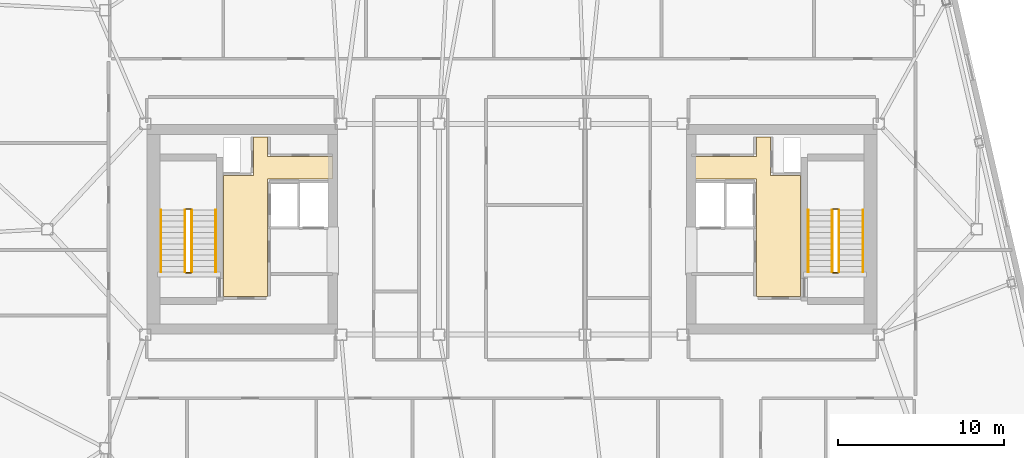
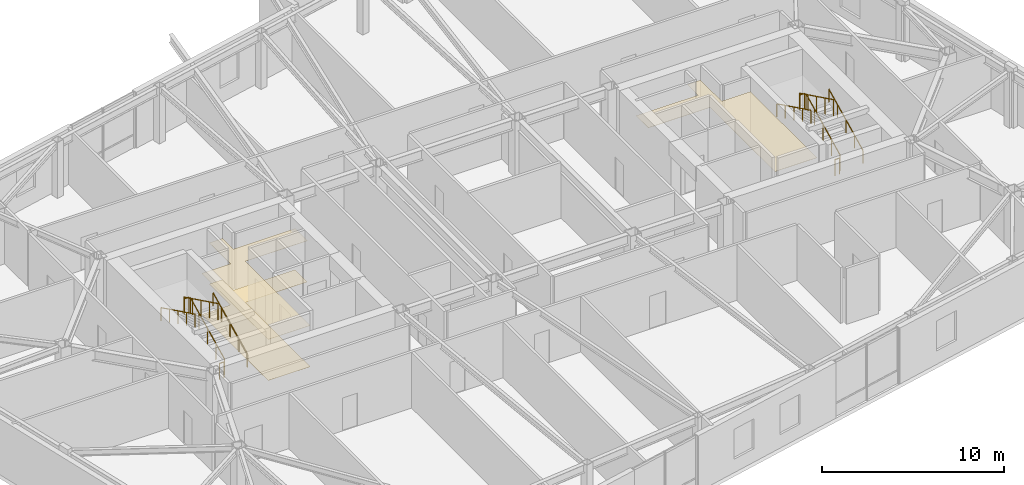
# One storey, part 22 of 22: 12 railings, 3 coverings.
"""IFC4 building model written with IfcOpenShell, lengths in metres."""

from ifc_helpers import new_model, si_unit, direction, frame, origin, origin_2d, place, context, subcontext, project, spatial, polyline, rectangle, outline, extrude, material, layer, layer_set, type_object, element, save


model = new_model("IFC4")

# Units and contexts
model_context = context("Model", 3, precision=1e-05, world=origin(), true_north=direction((0.0, 1.0)))
body_context = subcontext(model_context, "Body", "Model", "MODEL_VIEW")
ifc_project = project(units=[si_unit("LENGTHUNIT", "METRE"), si_unit("AREAUNIT", "SQUARE_METRE"), si_unit("VOLUMEUNIT", "CUBIC_METRE"), si_unit("PLANEANGLEUNIT", "RADIAN"), si_unit("MASSUNIT", "GRAM", prefix="KILO")], contexts=[model_context])

# Site, building, storey
site_placement = place(None, origin())
site = spatial("IfcSite", under=ifc_project, at=site_placement, CompositionType="ELEMENT")
building_placement = place(site_placement, origin())
building = spatial("IfcBuilding", under=site, at=building_placement, Name="Tavrogorsk Clinical Tower", CompositionType="ELEMENT")
storey_placement = place(building_placement, frame((0.0, 0.0, 317.0)))
storey = spatial("IfcBuildingStorey", under=building, at=storey_placement, Name="L74", CompositionType="ELEMENT", Elevation=317.0)

# Coverings
ifc_material_1 = material(Name="Antibacterial micro-perforated aluminium ceiling", Category="aluminium")
ifc_layer_1 = layer(ifc_material_1, 0.014892578125)
ifc_layer_set_1 = layer_set([ifc_layer_1], Name="Antibacterial micro-perforated aluminium ceiling")
covering_type_1 = type_object("IfcCoveringType", Name="ClinicalCeiling_15", PredefinedType="CEILING", material=ifc_layer_set_1)
covering_1_placement = place(storey_placement, frame((0.0, 0.0, 2.75)))
element("IfcCovering", 1, at=covering_1_placement, inside=storey, type_object=covering_type_1, Name="Core West Firefighting Lift Lobby Acoustic Ceiling", PredefinedType="CEILING", context=body_context, shape_type="SweptSolid", body=[
    extrude(outline(polyline([(-14.719970703125, 4.3798828125), (-10.800048828125, 4.3798828125), (-10.800048828125, 3.0400390625), (-14.719970703125, 3.0400390625), (-14.719970703125, -4.06005859375), (-17.3798828125, -4.06005859375), (-17.3798828125, 3.239990234375), (-15.56005859375, 3.239990234375), (-15.56005859375, 5.56005859375), (-14.719970703125, 5.56005859375), (-14.719970703125, 4.3798828125)])), origin(), (0.0, 0.0, 1.0), 0.014892578125),
])
covering_2_placement = place(storey_placement, frame((0.0, 0.0, 2.75)))
element("IfcCovering", 2, at=covering_2_placement, inside=storey, type_object=covering_type_1, Name="Core East Firefighting Lift Lobby Acoustic Ceiling", PredefinedType="CEILING", context=body_context, shape_type="SweptSolid", body=[
    extrude(outline(polyline([(14.719970703125, -4.06005859375), (14.719970703125, 3.0400390625), (10.800048828125, 3.0400390625), (10.800048828125, 4.3798828125), (14.719970703125, 4.3798828125), (14.719970703125, 5.56005859375), (15.56005859375, 5.56005859375), (15.56005859375, 3.239990234375), (17.3798828125, 3.239990234375), (17.3798828125, -4.06005859375), (14.719970703125, -4.06005859375)])), origin(), (0.0, 0.0, 1.0), 0.014892578125),
])
ifc_material_2 = material(Name="Homogeneous medical conductive PVC flooring")
ifc_layer_2 = layer(ifc_material_2, 0.008056640625)
ifc_layer_set_2 = layer_set([ifc_layer_2], Name="Homogeneous medical conductive PVC flooring")
covering_type_2 = type_object("IfcCoveringType", Name="ResilientVinylFloor_8", PredefinedType="FLOORING", material=ifc_layer_set_2)
covering_3_placement = place(storey_placement, origin())
element("IfcCovering", 3, at=covering_3_placement, inside=storey, type_object=covering_type_2, Name="Core West Firefighting Lift Lobby Conductive Vinyl Flooring", PredefinedType="FLOORING", context=body_context, shape_type="SweptSolid", body=[
    extrude(outline(polyline([(-14.719970703125, 4.3798828125), (-10.800048828125, 4.3798828125), (-10.800048828125, 3.0400390625), (-14.719970703125, 3.0400390625), (-14.719970703125, -4.06005859375), (-17.3798828125, -4.06005859375), (-17.3798828125, 3.239990234375), (-15.56005859375, 3.239990234375), (-15.56005859375, 5.56005859375), (-14.719970703125, 5.56005859375), (-14.719970703125, 4.3798828125)])), origin(), (0.0, 0.0, 1.0), 0.008056640625),
])

# Railings
ifc_material_3 = material(Name="Galvanised steel S355 safety stairwell guard", Category="steel")
ifc_layer_3 = layer(ifc_material_3, 0.06005859375)
ifc_layer_set_3 = layer_set([ifc_layer_3], Name="Galvanised steel S355 safety stairwell guard")
railing_type_1 = type_object("IfcRailingType", Name="StairGuard_1150", PredefinedType="GUARDRAIL", material=ifc_layer_set_3)
railing_1_placement = place(storey_placement, frame((-19.300048828125, -2.574951171875, 0.166748046875)))
element("IfcRailing", 4, at=railing_1_placement, inside=storey, type_object=railing_type_1, Name="L74 ST-W stair guard 1", PredefinedType="GUARDRAIL", context=body_context, shape_type="SweptSolid", body=[
    extrude(rectangle(XDim=0.048095703125, YDim=0.048095703125, at=origin_2d()), frame((0.0, 0.0, 1.076171875), z_axis=(0.0, 0.897927990467, 0.440142390523), x_axis=(-1.0, 0.0, 0.0)), (0.0, 0.0, 1.0), 4.1650390625),
    extrude(rectangle(XDim=0.0419921875, YDim=0.0419921875, at=origin_2d()), origin(), (0.0, 0.0, 1.0), 1.052001953125),
    extrude(rectangle(XDim=0.0419921875, YDim=0.0419921875, at=origin_2d()), frame((0.0, 0.93505859375, 0.458251953125)), (0.0, 0.0, 1.0), 1.052001953125),
    extrude(rectangle(XDim=0.0419921875, YDim=0.0419921875, at=origin_2d()), frame((0.0, 1.8701171875, 0.91650390625)), (0.0, 0.0, 1.0), 1.052001953125),
    extrude(rectangle(XDim=0.0419921875, YDim=0.0419921875, at=origin_2d()), frame((0.0, 2.804931640625, 1.375)), (0.0, 0.0, 1.0), 1.052001953125),
    extrude(rectangle(XDim=0.0419921875, YDim=0.0419921875, at=origin_2d()), frame((0.0, 3.739990234375, 1.833251953125)), (0.0, 0.0, 1.0), 1.052001953125),
])
railing_2_placement = place(storey_placement, frame((-19.35009765625, 1.215087890625, 2.0)))
element("IfcRailing", 5, at=railing_2_placement, inside=storey, type_object=railing_type_1, Name="L74 ST-W stair guard 2", PredefinedType="GUARDRAIL", context=body_context, shape_type="SweptSolid", body=[
    extrude(rectangle(XDim=0.048095703125, YDim=0.048095703125, at=origin_2d()), frame((0.0, 0.0, 1.076171875), z_axis=(-1.0, 0.0, 0.0), x_axis=(0.0, -1.0, 0.0)), (0.0, 0.0, 1.0), 0.2998046875),
    extrude(rectangle(XDim=0.0419921875, YDim=0.0419921875, at=origin_2d()), origin(), (0.0, 0.0, 1.0), 1.052001953125),
    extrude(rectangle(XDim=0.0419921875, YDim=0.0419921875, at=origin_2d()), frame((-0.2998046875, 0.0, 0.0)), (0.0, 0.0, 1.0), 1.052001953125),
])
railing_3_placement = place(storey_placement, frame((-19.699951171875, 1.1650390625, 2.166748046875)))
element("IfcRailing", 6, at=railing_3_placement, inside=storey, type_object=railing_type_1, Name="L74 ST-W stair guard 3", PredefinedType="GUARDRAIL", context=body_context, shape_type="SweptSolid", body=[
    extrude(rectangle(XDim=0.048095703125, YDim=0.048095703125, at=origin_2d()), frame((0.0, 0.0, 1.076171875), z_axis=(0.0, -0.897927990467, 0.440142390523), x_axis=(1.0, 0.0, 0.0)), (0.0, 0.0, 1.0), 4.1650390625),
    extrude(rectangle(XDim=0.0419921875, YDim=0.0419921875, at=origin_2d()), origin(), (0.0, 0.0, 1.0), 1.052001953125),
    extrude(rectangle(XDim=0.0419921875, YDim=0.0419921875, at=origin_2d()), frame((0.0, -0.93505859375, 0.458251953125)), (0.0, 0.0, 1.0), 1.052001953125),
    extrude(rectangle(XDim=0.0419921875, YDim=0.0419921875, at=origin_2d()), frame((0.0, -1.8701171875, 0.91650390625)), (0.0, 0.0, 1.0), 1.052001953125),
    extrude(rectangle(XDim=0.0419921875, YDim=0.0419921875, at=origin_2d()), frame((0.0, -2.804931640625, 1.375)), (0.0, 0.0, 1.0), 1.052001953125),
    extrude(rectangle(XDim=0.0419921875, YDim=0.0419921875, at=origin_2d()), frame((0.0, -3.739990234375, 1.833251953125)), (0.0, 0.0, 1.0), 1.052001953125),
])
railing_4_placement = place(storey_placement, frame((-19.35009765625, -2.625, 0.0)))
element("IfcRailing", 7, at=railing_4_placement, inside=storey, type_object=railing_type_1, Name="L74 ST-W stair guard 4", PredefinedType="GUARDRAIL", context=body_context, shape_type="SweptSolid", body=[
    extrude(rectangle(XDim=0.048095703125, YDim=0.048095703125, at=origin_2d()), frame((0.0, 0.0, 1.076171875), z_axis=(-1.0, 0.0, 0.0), x_axis=(0.0, -1.0, 0.0)), (0.0, 0.0, 1.0), 0.2998046875),
    extrude(rectangle(XDim=0.0419921875, YDim=0.0419921875, at=origin_2d()), origin(), (0.0, 0.0, 1.0), 1.052001953125),
    extrude(rectangle(XDim=0.0419921875, YDim=0.0419921875, at=origin_2d()), frame((-0.2998046875, 0.0, 0.0)), (0.0, 0.0, 1.0), 1.052001953125),
])
railing_5_placement = place(storey_placement, frame((19.699951171875, -2.574951171875, 0.166748046875)))
element("IfcRailing", 8, at=railing_5_placement, inside=storey, type_object=railing_type_1, Name="L74 ST-E stair guard 1", PredefinedType="GUARDRAIL", context=body_context, shape_type="SweptSolid", body=[
    extrude(rectangle(XDim=0.048095703125, YDim=0.048095703125, at=origin_2d()), frame((0.0, 0.0, 1.076171875), z_axis=(0.0, 0.897927990467, 0.440142390523), x_axis=(-1.0, 0.0, 0.0)), (0.0, 0.0, 1.0), 4.1650390625),
    extrude(rectangle(XDim=0.0419921875, YDim=0.0419921875, at=origin_2d()), origin(), (0.0, 0.0, 1.0), 1.052001953125),
    extrude(rectangle(XDim=0.0419921875, YDim=0.0419921875, at=origin_2d()), frame((0.0, 0.93505859375, 0.458251953125)), (0.0, 0.0, 1.0), 1.052001953125),
    extrude(rectangle(XDim=0.0419921875, YDim=0.0419921875, at=origin_2d()), frame((0.0, 1.8701171875, 0.91650390625)), (0.0, 0.0, 1.0), 1.052001953125),
    extrude(rectangle(XDim=0.0419921875, YDim=0.0419921875, at=origin_2d()), frame((0.0, 2.804931640625, 1.375)), (0.0, 0.0, 1.0), 1.052001953125),
    extrude(rectangle(XDim=0.0419921875, YDim=0.0419921875, at=origin_2d()), frame((0.0, 3.739990234375, 1.833251953125)), (0.0, 0.0, 1.0), 1.052001953125),
])
railing_6_placement = place(storey_placement, frame((19.64990234375, 1.215087890625, 2.0)))
element("IfcRailing", 9, at=railing_6_placement, inside=storey, type_object=railing_type_1, Name="L74 ST-E stair guard 2", PredefinedType="GUARDRAIL", context=body_context, shape_type="SweptSolid", body=[
    extrude(rectangle(XDim=0.048095703125, YDim=0.048095703125, at=origin_2d()), frame((0.0, 0.0, 1.076171875), z_axis=(-1.0, 0.0, 0.0), x_axis=(0.0, -1.0, 0.0)), (0.0, 0.0, 1.0), 0.2998046875),
    extrude(rectangle(XDim=0.0419921875, YDim=0.0419921875, at=origin_2d()), origin(), (0.0, 0.0, 1.0), 1.052001953125),
    extrude(rectangle(XDim=0.0419921875, YDim=0.0419921875, at=origin_2d()), frame((-0.2998046875, 0.0, 0.0)), (0.0, 0.0, 1.0), 1.052001953125),
])
railing_7_placement = place(storey_placement, frame((19.300048828125, 1.1650390625, 2.166748046875)))
element("IfcRailing", 10, at=railing_7_placement, inside=storey, type_object=railing_type_1, Name="L74 ST-E stair guard 3", PredefinedType="GUARDRAIL", context=body_context, shape_type="SweptSolid", body=[
    extrude(rectangle(XDim=0.048095703125, YDim=0.048095703125, at=origin_2d()), frame((0.0, 0.0, 1.076171875), z_axis=(0.0, -0.897927990467, 0.440142390523), x_axis=(1.0, 0.0, 0.0)), (0.0, 0.0, 1.0), 4.1650390625),
    extrude(rectangle(XDim=0.0419921875, YDim=0.0419921875, at=origin_2d()), origin(), (0.0, 0.0, 1.0), 1.052001953125),
    extrude(rectangle(XDim=0.0419921875, YDim=0.0419921875, at=origin_2d()), frame((0.0, -0.93505859375, 0.458251953125)), (0.0, 0.0, 1.0), 1.052001953125),
    extrude(rectangle(XDim=0.0419921875, YDim=0.0419921875, at=origin_2d()), frame((0.0, -1.8701171875, 0.91650390625)), (0.0, 0.0, 1.0), 1.052001953125),
    extrude(rectangle(XDim=0.0419921875, YDim=0.0419921875, at=origin_2d()), frame((0.0, -2.804931640625, 1.375)), (0.0, 0.0, 1.0), 1.052001953125),
    extrude(rectangle(XDim=0.0419921875, YDim=0.0419921875, at=origin_2d()), frame((0.0, -3.739990234375, 1.833251953125)), (0.0, 0.0, 1.0), 1.052001953125),
])
railing_8_placement = place(storey_placement, frame((19.64990234375, -2.625, 0.0)))
element("IfcRailing", 11, at=railing_8_placement, inside=storey, type_object=railing_type_1, Name="L74 ST-E stair guard 4", PredefinedType="GUARDRAIL", context=body_context, shape_type="SweptSolid", body=[
    extrude(rectangle(XDim=0.048095703125, YDim=0.048095703125, at=origin_2d()), frame((0.0, 0.0, 1.076171875), z_axis=(-1.0, 0.0, 0.0), x_axis=(0.0, -1.0, 0.0)), (0.0, 0.0, 1.0), 0.2998046875),
    extrude(rectangle(XDim=0.0419921875, YDim=0.0419921875, at=origin_2d()), origin(), (0.0, 0.0, 1.0), 1.052001953125),
    extrude(rectangle(XDim=0.0419921875, YDim=0.0419921875, at=origin_2d()), frame((-0.2998046875, 0.0, 0.0)), (0.0, 0.0, 1.0), 1.052001953125),
])
ifc_material_4 = material(Name="Stainless steel AISI 304 tubular handrail", Category="steel")
ifc_layer_4 = layer(ifc_material_4, 0.050048828125)
ifc_layer_set_4 = layer_set([ifc_layer_4], Name="Stainless steel AISI 304 tubular handrail")
railing_type_2 = type_object("IfcRailingType", Name="StairHandrail_920", PredefinedType="HANDRAIL", material=ifc_layer_set_4)
railing_9_placement = place(storey_placement, frame((-17.85009765625, -2.574951171875, 0.166748046875)))
element("IfcRailing", 12, at=railing_9_placement, inside=storey, type_object=railing_type_2, Name="L74 ST-W stair handrail 1", PredefinedType="HANDRAIL", context=body_context, shape_type="SweptSolid", body=[
    extrude(rectangle(XDim=0.048095703125, YDim=0.048095703125, at=origin_2d()), frame((0.0, 0.0, 0.8759765625), z_axis=(0.0, 0.897927990467, 0.440142390523), x_axis=(-1.0, 0.0, 0.0)), (0.0, 0.0, 1.0), 4.1650390625),
    extrude(rectangle(XDim=0.0419921875, YDim=0.0419921875, at=origin_2d()), origin(), (0.0, 0.0, 1.0), 0.851806640625),
    extrude(rectangle(XDim=0.0419921875, YDim=0.0419921875, at=origin_2d()), frame((0.0, 0.93505859375, 0.458251953125)), (0.0, 0.0, 1.0), 0.851806640625),
    extrude(rectangle(XDim=0.0419921875, YDim=0.0419921875, at=origin_2d()), frame((0.0, 1.8701171875, 0.91650390625)), (0.0, 0.0, 1.0), 0.851806640625),
    extrude(rectangle(XDim=0.0419921875, YDim=0.0419921875, at=origin_2d()), frame((0.0, 2.804931640625, 1.375)), (0.0, 0.0, 1.0), 0.851806640625),
    extrude(rectangle(XDim=0.0419921875, YDim=0.0419921875, at=origin_2d()), frame((0.0, 3.739990234375, 1.833251953125)), (0.0, 0.0, 1.0), 0.851806640625),
])
railing_10_placement = place(storey_placement, frame((-21.14990234375, 1.1650390625, 2.166748046875)))
element("IfcRailing", 13, at=railing_10_placement, inside=storey, type_object=railing_type_2, Name="L74 ST-W stair handrail 2", PredefinedType="HANDRAIL", context=body_context, shape_type="SweptSolid", body=[
    extrude(rectangle(XDim=0.048095703125, YDim=0.048095703125, at=origin_2d()), frame((0.0, 0.0, 0.8759765625), z_axis=(0.0, -0.897927990467, 0.440142390523), x_axis=(1.0, 0.0, 0.0)), (0.0, 0.0, 1.0), 4.1650390625),
    extrude(rectangle(XDim=0.0419921875, YDim=0.0419921875, at=origin_2d()), origin(), (0.0, 0.0, 1.0), 0.851806640625),
    extrude(rectangle(XDim=0.0419921875, YDim=0.0419921875, at=origin_2d()), frame((0.0, -0.93505859375, 0.458251953125)), (0.0, 0.0, 1.0), 0.851806640625),
    extrude(rectangle(XDim=0.0419921875, YDim=0.0419921875, at=origin_2d()), frame((0.0, -1.8701171875, 0.91650390625)), (0.0, 0.0, 1.0), 0.851806640625),
    extrude(rectangle(XDim=0.0419921875, YDim=0.0419921875, at=origin_2d()), frame((0.0, -2.804931640625, 1.375)), (0.0, 0.0, 1.0), 0.851806640625),
    extrude(rectangle(XDim=0.0419921875, YDim=0.0419921875, at=origin_2d()), frame((0.0, -3.739990234375, 1.833251953125)), (0.0, 0.0, 1.0), 0.851806640625),
])
railing_11_placement = place(storey_placement, frame((21.14990234375, -2.574951171875, 0.166748046875)))
element("IfcRailing", 14, at=railing_11_placement, inside=storey, type_object=railing_type_2, Name="L74 ST-E stair handrail 1", PredefinedType="HANDRAIL", context=body_context, shape_type="SweptSolid", body=[
    extrude(rectangle(XDim=0.048095703125, YDim=0.048095703125, at=origin_2d()), frame((0.0, 0.0, 0.8759765625), z_axis=(0.0, 0.897927990467, 0.440142390523), x_axis=(-1.0, 0.0, 0.0)), (0.0, 0.0, 1.0), 4.1650390625),
    extrude(rectangle(XDim=0.0419921875, YDim=0.0419921875, at=origin_2d()), origin(), (0.0, 0.0, 1.0), 0.851806640625),
    extrude(rectangle(XDim=0.0419921875, YDim=0.0419921875, at=origin_2d()), frame((0.0, 0.93505859375, 0.458251953125)), (0.0, 0.0, 1.0), 0.851806640625),
    extrude(rectangle(XDim=0.0419921875, YDim=0.0419921875, at=origin_2d()), frame((0.0, 1.8701171875, 0.91650390625)), (0.0, 0.0, 1.0), 0.851806640625),
    extrude(rectangle(XDim=0.0419921875, YDim=0.0419921875, at=origin_2d()), frame((0.0, 2.804931640625, 1.375)), (0.0, 0.0, 1.0), 0.851806640625),
    extrude(rectangle(XDim=0.0419921875, YDim=0.0419921875, at=origin_2d()), frame((0.0, 3.739990234375, 1.833251953125)), (0.0, 0.0, 1.0), 0.851806640625),
])
railing_12_placement = place(storey_placement, frame((17.85009765625, 1.1650390625, 2.166748046875)))
element("IfcRailing", 15, at=railing_12_placement, inside=storey, type_object=railing_type_2, Name="L74 ST-E stair handrail 2", PredefinedType="HANDRAIL", context=body_context, shape_type="SweptSolid", body=[
    extrude(rectangle(XDim=0.048095703125, YDim=0.048095703125, at=origin_2d()), frame((0.0, 0.0, 0.8759765625), z_axis=(0.0, -0.897927990467, 0.440142390523), x_axis=(1.0, 0.0, 0.0)), (0.0, 0.0, 1.0), 4.1650390625),
    extrude(rectangle(XDim=0.0419921875, YDim=0.0419921875, at=origin_2d()), origin(), (0.0, 0.0, 1.0), 0.851806640625),
    extrude(rectangle(XDim=0.0419921875, YDim=0.0419921875, at=origin_2d()), frame((0.0, -0.93505859375, 0.458251953125)), (0.0, 0.0, 1.0), 0.851806640625),
    extrude(rectangle(XDim=0.0419921875, YDim=0.0419921875, at=origin_2d()), frame((0.0, -1.8701171875, 0.91650390625)), (0.0, 0.0, 1.0), 0.851806640625),
    extrude(rectangle(XDim=0.0419921875, YDim=0.0419921875, at=origin_2d()), frame((0.0, -2.804931640625, 1.375)), (0.0, 0.0, 1.0), 0.851806640625),
    extrude(rectangle(XDim=0.0419921875, YDim=0.0419921875, at=origin_2d()), frame((0.0, -3.739990234375, 1.833251953125)), (0.0, 0.0, 1.0), 0.851806640625),
])

save(model, "model.ifc")
